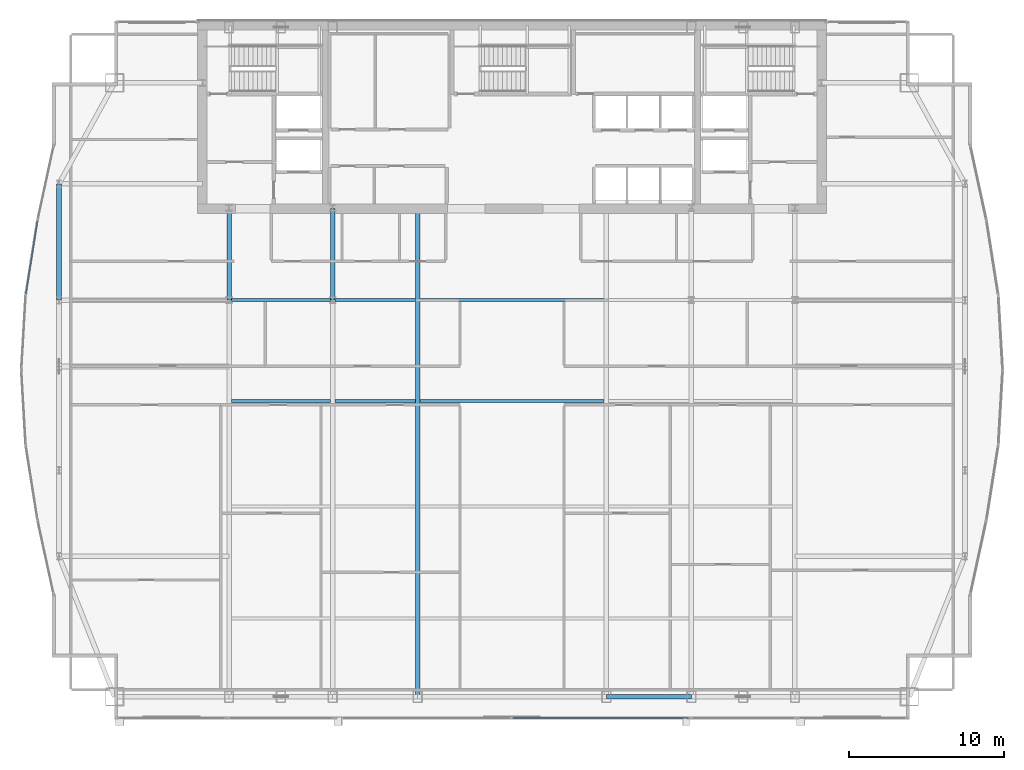
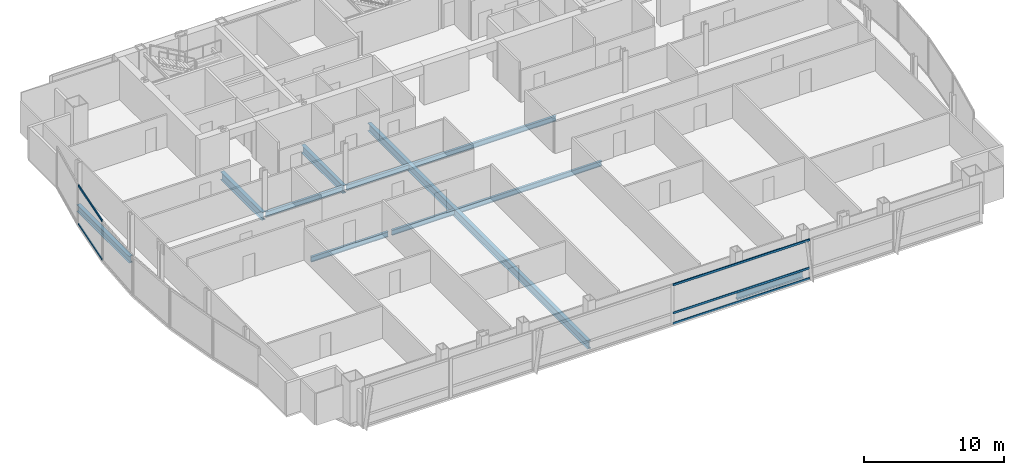
# One storey, part 11 of 30: 11 beams, 5 members, 2 elements without a shape of their own.
"""IFC4 building model written with IfcOpenShell, lengths in metres."""

from ifc_helpers import new_model, si_unit, direction, frame, origin, origin_2d, place, context, subcontext, project, spatial, hollow_rectangle, i_section, extrude, material, material_profile, profile_set, type_object, element, aggregate, save


model = new_model("IFC4")

# Units and contexts
model_context = context("Model", 3, precision=1e-05, world=origin(), true_north=direction((0.0, 1.0)))
body_context = subcontext(model_context, "Body", "Model", "MODEL_VIEW")
ifc_project = project(units=[si_unit("LENGTHUNIT", "METRE"), si_unit("AREAUNIT", "SQUARE_METRE"), si_unit("VOLUMEUNIT", "CUBIC_METRE"), si_unit("PLANEANGLEUNIT", "RADIAN"), si_unit("MASSUNIT", "GRAM", prefix="KILO")], contexts=[model_context])

# Site, building, storey
site_placement = place(None, origin())
site = spatial("IfcSite", under=ifc_project, at=site_placement, CompositionType="ELEMENT")
building_placement = place(site_placement, origin())
building = spatial("IfcBuilding", under=site, at=building_placement, Name="Khoronbel Lancet Exchange", CompositionType="ELEMENT")
storey_placement = place(building_placement, frame((0.0, 0.0, 217.39990234375)))
storey = spatial("IfcBuildingStorey", under=building, at=storey_placement, Name="L55", CompositionType="ELEMENT", Elevation=217.39990234375)

# Beams
ifc_material_1 = material(Name="Steel S355", Category="steel")
ifc_material_profile_1 = material_profile(ifc_material_1, i_section(OverallWidth=0.300048828125, OverallDepth=0.699951171875, WebThickness=0.01708984375, FlangeThickness=0.031982421875, at=origin_2d()), Name="HEB 700")
ifc_profile_set_1 = profile_set([ifc_material_profile_1], Name="Steel S355")
beam_type_1 = type_object("IfcBeamType", Name="BM-BG3", PredefinedType="BEAM", material=ifc_profile_set_1)
for number, where, z_axis, x_axis, name in (
    (1, (18.22509765625, 35.699951171875, -0.510009765625), (0.0, 1.0, 0.0), (-1.0, 0.0, 0.0), "Level L55 spine tie girder GN1"),
    (2, (24.89990234375, 35.699951171875, -0.510009765625), (0.0, 1.0, 0.0), (-1.0, 0.0, 0.0), "Level L55 spine tie girder GN2"),
):
    element("IfcBeam", number, at=place(storey_placement, frame(where, z_axis=z_axis, x_axis=x_axis)), inside=storey, type_object=beam_type_1, Name=name, PredefinedType="BEAM", context=body_context, shape_type="SweptSolid", body=[
        extrude(i_section(OverallWidth=0.300048828125, OverallDepth=0.699951171875, WebThickness=0.01708984375, FlangeThickness=0.031982421875, at=origin_2d()), origin(), (0.0, 0.0, 1.0), 5.900146484375),
    ])
beam_1_placement = place(storey_placement, frame((30.375, 10.14990234375, -0.510009765625), z_axis=(0.0, 1.0, 0.0), x_axis=(-1.0, 0.0, 0.0)))
element("IfcBeam", 3, at=beam_1_placement, inside=storey, type_object=beam_type_1, Name="Level L55 primary floor girder G3", PredefinedType="BEAM", context=body_context, shape_type="SweptSolid", body=[
    extrude(i_section(OverallWidth=0.300048828125, OverallDepth=0.699951171875, WebThickness=0.01708984375, FlangeThickness=0.031982421875, at=origin_2d()), origin(), (0.0, 0.0, 1.0), 31.4501953125),
])
ifc_material_profile_2 = material_profile(ifc_material_1, i_section(OverallWidth=0.18994140625, OverallDepth=0.449951171875, WebThickness=0.009521484375, FlangeThickness=0.0146484375, at=origin_2d()), Name="IPE 450")
ifc_profile_set_2 = profile_set([ifc_material_profile_2], Name="Steel S355")
beam_type_2 = type_object("IfcBeamType", Name="BM-BJ4", PredefinedType="JOIST", material=ifc_profile_set_2)
beam_2_placement = place(storey_placement, frame((18.375, 29.199951171875, -0.385009765625), z_axis=(1.0, 0.0, 0.0), x_axis=(0.0, 1.0, 0.0)))
element("IfcBeam", 4, at=beam_2_placement, inside=storey, type_object=beam_type_2, Name="Level L55 secondary composite joist J11", PredefinedType="JOIST", context=body_context, shape_type="SweptSolid", body=[
    extrude(i_section(OverallWidth=0.18994140625, OverallDepth=0.449951171875, WebThickness=0.009521484375, FlangeThickness=0.0146484375, at=origin_2d()), origin(), (0.0, 0.0, 1.0), 6.375),
])
beam_3_placement = place(storey_placement, frame((25.050048828125, 29.199951171875, -0.385009765625), z_axis=(1.0, 0.0, 0.0), x_axis=(0.0, 1.0, 0.0)))
element("IfcBeam", 5, at=beam_3_placement, inside=storey, type_object=beam_type_2, Name="Level L55 secondary composite joist J12", PredefinedType="JOIST", context=body_context, shape_type="SweptSolid", body=[
    extrude(i_section(OverallWidth=0.18994140625, OverallDepth=0.449951171875, WebThickness=0.009521484375, FlangeThickness=0.0146484375, at=origin_2d()), origin(), (0.0, 0.0, 1.0), 5.175048828125),
])
beam_4_placement = place(storey_placement, frame((30.52490234375, 29.199951171875, -0.385009765625), z_axis=(1.0, 0.0, 0.0), x_axis=(0.0, 1.0, 0.0)))
element("IfcBeam", 6, at=beam_4_placement, inside=storey, type_object=beam_type_2, Name="Level L55 secondary composite joist J13", PredefinedType="JOIST", context=body_context, shape_type="SweptSolid", body=[
    extrude(i_section(OverallWidth=0.18994140625, OverallDepth=0.449951171875, WebThickness=0.009521484375, FlangeThickness=0.0146484375, at=origin_2d()), origin(), (0.0, 0.0, 1.0), 11.85009765625),
])
beam_5_placement = place(storey_placement, frame((18.375, 35.699951171875, -0.385009765625), z_axis=(1.0, 0.0, 0.0), x_axis=(0.0, 1.0, 0.0)))
element("IfcBeam", 7, at=beam_5_placement, inside=storey, type_object=beam_type_2, Name="Level L55 secondary composite joist J16", PredefinedType="JOIST", context=body_context, shape_type="SweptSolid", body=[
    extrude(i_section(OverallWidth=0.18994140625, OverallDepth=0.449951171875, WebThickness=0.009521484375, FlangeThickness=0.0146484375, at=origin_2d()), origin(), (0.0, 0.0, 1.0), 6.375),
])
beam_6_placement = place(storey_placement, frame((25.050048828125, 35.699951171875, -0.385009765625), z_axis=(1.0, 0.0, 0.0), x_axis=(0.0, 1.0, 0.0)))
element("IfcBeam", 8, at=beam_6_placement, inside=storey, type_object=beam_type_2, Name="Level L55 secondary composite joist J17", PredefinedType="JOIST", context=body_context, shape_type="SweptSolid", body=[
    extrude(i_section(OverallWidth=0.18994140625, OverallDepth=0.449951171875, WebThickness=0.009521484375, FlangeThickness=0.0146484375, at=origin_2d()), origin(), (0.0, 0.0, 1.0), 5.175048828125),
])
beam_7_placement = place(storey_placement, frame((30.52490234375, 35.699951171875, -0.385009765625), z_axis=(1.0, 0.0, 0.0), x_axis=(0.0, 1.0, 0.0)))
element("IfcBeam", 9, at=beam_7_placement, inside=storey, type_object=beam_type_2, Name="Level L55 secondary composite joist J18", PredefinedType="JOIST", context=body_context, shape_type="SweptSolid", body=[
    extrude(i_section(OverallWidth=0.18994140625, OverallDepth=0.449951171875, WebThickness=0.009521484375, FlangeThickness=0.0146484375, at=origin_2d()), origin(), (0.0, 0.0, 1.0), 11.85009765625),
])
ifc_material_profile_3 = material_profile(ifc_material_1, i_section(OverallWidth=0.300048828125, OverallDepth=0.60009765625, WebThickness=0.015380859375, FlangeThickness=0.030029296875, at=origin_2d()), Name="HEB 600")
ifc_profile_set_3 = profile_set([ifc_material_profile_3], Name="Steel S355")
beam_type_3 = type_object("IfcBeamType", Name="BM-BSP2", PredefinedType="SPANDREL", material=ifc_profile_set_3)
beam_8_placement = place(storey_placement, frame((42.52490234375, 10.14990234375, -0.4599609375), z_axis=(1.0, 0.0, 0.0), x_axis=(0.0, 1.0, 0.0)))
element("IfcBeam", 10, at=beam_8_placement, inside=storey, type_object=beam_type_3, Name="Level L55 perimeter spandrel beam SP06", PredefinedType="SPANDREL", context=body_context, shape_type="SweptSolid", body=[
    extrude(i_section(OverallWidth=0.300048828125, OverallDepth=0.60009765625, WebThickness=0.015380859375, FlangeThickness=0.030029296875, at=origin_2d()), origin(), (0.0, 0.0, 1.0), 5.47509765625),
])
beam_9_placement = place(storey_placement, frame((7.27001953125, 43.199951171875, -0.4599609375), z_axis=(0.0, -1.0, 0.0), x_axis=(1.0, 0.0, 0.0)))
element("IfcBeam", 11, at=beam_9_placement, inside=storey, type_object=beam_type_3, Name="Level L55 perimeter spandrel beam SP17", PredefinedType="SPANDREL", context=body_context, shape_type="SweptSolid", body=[
    extrude(i_section(OverallWidth=0.300048828125, OverallDepth=0.60009765625, WebThickness=0.015380859375, FlangeThickness=0.030029296875, at=origin_2d()), origin(), (0.0, 0.0, 1.0), 7.5),
])

# Curtain wall, members
ifc_material_2 = material(Name="Low-E Solar Control Insulating Glass", Category="glass")
curtain_wall_type_1 = type_object("IfcCurtainWallType", Name="CW-4", PredefinedType="NOTDEFINED", material=ifc_material_2)
curtain_wall_1_placement = place(storey_placement, origin())
curtain_wall_1 = element("IfcCurtainWall", 12, at=curtain_wall_1_placement, inside=storey, type_object=curtain_wall_type_1, Name="Unitised curtain wall CW-L55-E08", PredefinedType="NOTDEFINED")
ifc_material_3 = material(Name="Bronze-Anodised Aluminium 6063-T6", Category="aluminium")
ifc_material_profile_4 = material_profile(ifc_material_3, hollow_rectangle(XDim=0.0849609375, YDim=0.179931640625, WallThickness=0.0048828125, at=origin_2d()), Name="ALU TRANSOM 85x180")
ifc_profile_set_4 = profile_set([ifc_material_profile_4], Name="Bronze-Anodised Aluminium 6063-T6")
member_type = type_object("IfcMemberType", Name="MEM-CWT1", PredefinedType="USERDEFINED", material=ifc_profile_set_4)
member_1_placement = place(storey_placement, frame((5.13818359375, 36.09765625, 0.04248046875), z_axis=(0.156579214951, 0.987665403588, 0.0), x_axis=(-0.987665403588, 0.156579214951, 0.0)))
member_1 = element("IfcMember", 13, at=member_1_placement, type_object=member_type, Name="CW4 transom 1.1", ObjectType="TRANSOM", PredefinedType="USERDEFINED", context=body_context, shape_type="SweptSolid", body=[
    extrude(hollow_rectangle(XDim=0.0849609375, YDim=0.179931640625, WallThickness=0.0048828125, at=origin_2d()), origin(), (0.0, 0.0, 1.0), 4.73681640625),
])
member_2_placement = place(storey_placement, frame((5.13818359375, 36.09765625, 3.397705078125), z_axis=(0.156579214951, 0.987665403588, 0.0), x_axis=(-0.987665403588, 0.156579214951, 0.0)))
member_2 = element("IfcMember", 14, at=member_2_placement, type_object=member_type, Name="CW4 transom 1.2", ObjectType="TRANSOM", PredefinedType="USERDEFINED", context=body_context, shape_type="SweptSolid", body=[
    extrude(hollow_rectangle(XDim=0.0849609375, YDim=0.179931640625, WallThickness=0.0048828125, at=origin_2d()), origin(), (0.0, 0.0, 1.0), 4.73681640625),
])
aggregate(curtain_wall_1, [member_1, member_2])

curtain_wall_type_2 = type_object("IfcCurtainWallType", Name="CW-3", PredefinedType="NOTDEFINED", material=ifc_material_2)
curtain_wall_2_placement = place(storey_placement, origin())
curtain_wall_2 = element("IfcCurtainWall", 15, at=curtain_wall_2_placement, inside=storey, type_object=curtain_wall_type_2, Name="Unitised curtain wall CW-L55-SCV", PredefinedType="NOTDEFINED")
member_3_placement = place(storey_placement, frame((36.492431640625, 8.7900390625, 0.04248046875), z_axis=(1.0, 0.0, 0.0), x_axis=(0.0, 1.0, 0.0)))
member_3 = element("IfcMember", 16, at=member_3_placement, type_object=member_type, Name="CW3 transom 2.1", ObjectType="TRANSOM", PredefinedType="USERDEFINED", context=body_context, shape_type="SweptSolid", body=[
    extrude(hollow_rectangle(XDim=0.0849609375, YDim=0.179931640625, WallThickness=0.0048828125, at=origin_2d()), origin(), (0.0, 0.0, 1.0), 11.322509765625),
])
member_4_placement = place(storey_placement, frame((36.492431640625, 8.7900390625, 0.9501953125), z_axis=(1.0, 0.0, 0.0), x_axis=(0.0, 1.0, 0.0)))
member_4 = element("IfcMember", 17, at=member_4_placement, type_object=member_type, Name="CW3 transom 2.2", ObjectType="TRANSOM", PredefinedType="USERDEFINED", context=body_context, shape_type="SweptSolid", body=[
    extrude(hollow_rectangle(XDim=0.0849609375, YDim=0.179931640625, WallThickness=0.0048828125, at=origin_2d()), origin(), (0.0, 0.0, 1.0), 11.322509765625),
])
member_5_placement = place(storey_placement, frame((36.492431640625, 8.7900390625, 3.397705078125), z_axis=(1.0, 0.0, 0.0), x_axis=(0.0, 1.0, 0.0)))
member_5 = element("IfcMember", 18, at=member_5_placement, type_object=member_type, Name="CW3 transom 2.3", ObjectType="TRANSOM", PredefinedType="USERDEFINED", context=body_context, shape_type="SweptSolid", body=[
    extrude(hollow_rectangle(XDim=0.0849609375, YDim=0.179931640625, WallThickness=0.0048828125, at=origin_2d()), origin(), (0.0, 0.0, 1.0), 11.322509765625),
])
aggregate(curtain_wall_2, [member_3, member_4, member_5])

save(model, "model.ifc")
